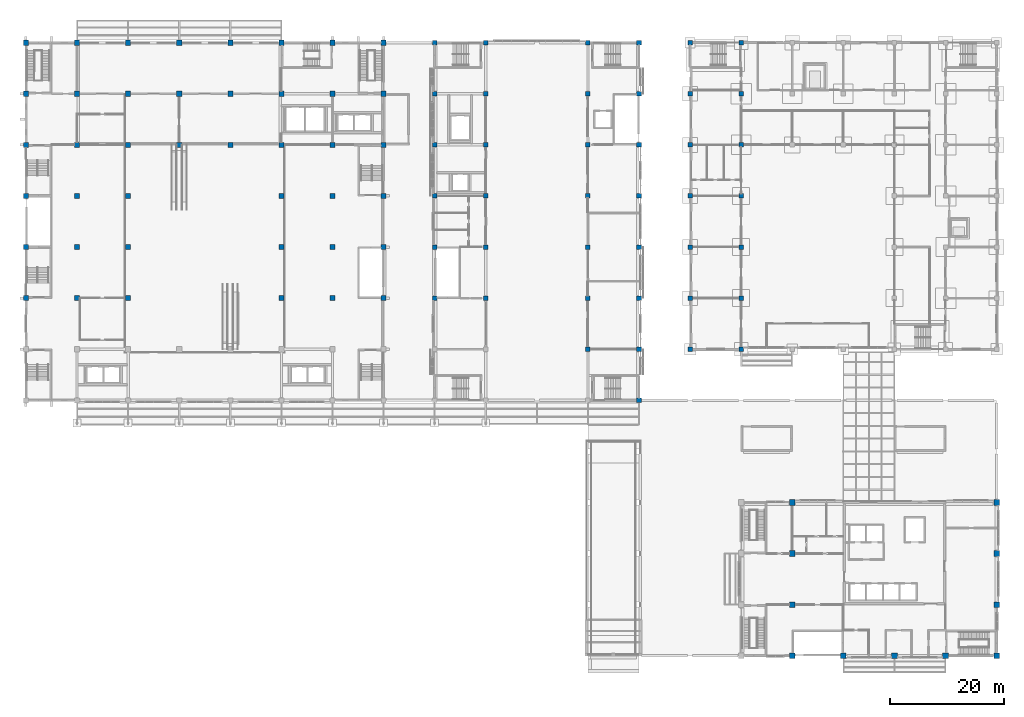
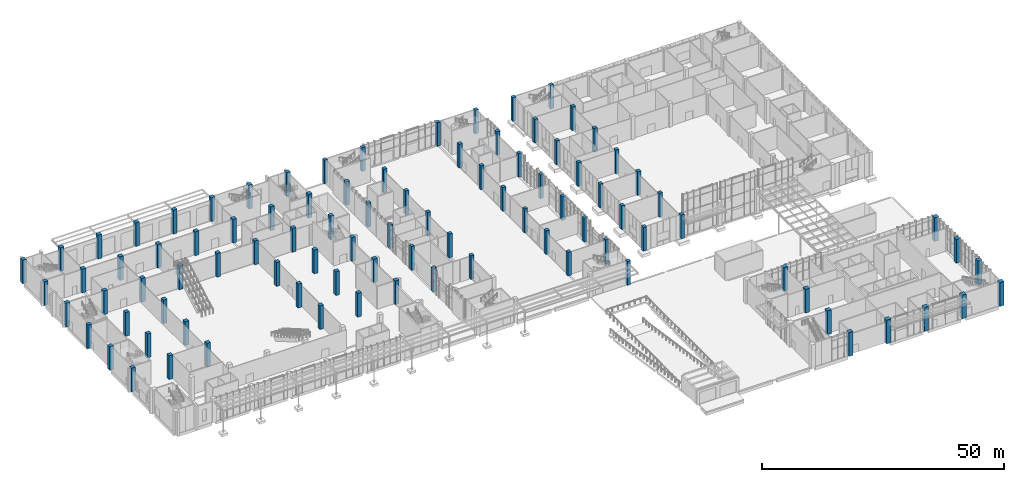
# One storey, part 6 of 86: 94 columns.
"""IFC4 building model written with IfcOpenShell, lengths in metres."""

from ifc_helpers import new_model, si_unit, direction, frame, origin, origin_2d, place, context, subcontext, project, spatial, rectangle, extrude, material, material_profile, profile_set, type_object, element, save


model = new_model("IFC4")

# Units and contexts
model_context = context("Model", 3, precision=1e-05, world=origin(), true_north=direction((0.0, 1.0)))
body_context = subcontext(model_context, "Body", "Model", "MODEL_VIEW")
ifc_project = project(units=[si_unit("LENGTHUNIT", "METRE"), si_unit("AREAUNIT", "SQUARE_METRE"), si_unit("VOLUMEUNIT", "CUBIC_METRE"), si_unit("PLANEANGLEUNIT", "RADIAN"), si_unit("MASSUNIT", "GRAM", prefix="KILO")], contexts=[model_context])

# Site, building, storey
site_placement = place(None, origin())
site = spatial("IfcSite", under=ifc_project, at=site_placement, CompositionType="ELEMENT")
building_placement = place(site_placement, origin())
building = spatial("IfcBuilding", under=site, at=building_placement, Name="Guidao Yard Department Store", CompositionType="ELEMENT")
storey_placement = place(building_placement, origin())
storey = spatial("IfcBuildingStorey", under=building, at=storey_placement, Name="L00", CompositionType="ELEMENT", Elevation=0.0)

# Columns
ifc_material_1 = material(Name="Concrete C60", Category="concrete")
ifc_material_profile_1 = material_profile(ifc_material_1, rectangle(XDim=1.0, YDim=1.0, at=origin_2d()), Name="COL 1000x1000")
ifc_profile_set_1 = profile_set([ifc_material_profile_1], Name="Concrete C60")
column_type_1 = type_object("IfcColumnType", Name="Column 1000x1000 C60", PredefinedType="COLUMN", material=ifc_profile_set_1)
for number, where, z_axis, x_axis, name in (
    (1, (135.0, 0.0, 0.0), (0.0, 0.0, 1.0), (1.0, 0.0, 0.0), "Column 16/A L00"),
    (2, (144.0, 0.0, 0.0), (0.0, 0.0, 1.0), (1.0, 0.0, 0.0), "Column 17/A L00"),
    (3, (153.0, 0.0, 0.0), (0.0, 0.0, 1.0), (1.0, 0.0, 0.0), "Column 18/A L00"),
    (4, (162.0, 0.0, 0.0), (0.0, 0.0, 1.0), (1.0, 0.0, 0.0), "Column 19/A L00"),
    (5, (171.0, 0.0, 0.0), (0.0, 0.0, 1.0), (1.0, 0.0, 0.0), "Column 20/A L00"),
    (6, (135.0, 9.0, 0.0), (0.0, 0.0, 1.0), (1.0, 0.0, 0.0), "Column 16/B L00"),
    (7, (171.0, 9.0, 0.0), (0.0, 0.0, 1.0), (1.0, 0.0, 0.0), "Column 20/B L00"),
    (8, (135.0, 18.0, 0.0), (0.0, 0.0, 1.0), (1.0, 0.0, 0.0), "Column 16/C L00"),
    (9, (171.0, 18.0, 0.0), (0.0, 0.0, 1.0), (1.0, 0.0, 0.0), "Column 20/C L00"),
    (10, (135.0, 27.0, 0.0), (0.0, 0.0, 1.0), (1.0, 0.0, 0.0), "Column 16/D L00"),
    (11, (171.0, 27.0, 0.0), (0.0, 0.0, 1.0), (1.0, 0.0, 0.0), "Column 20/D L00"),
):
    element("IfcColumn", number, at=place(storey_placement, frame(where, z_axis=z_axis, x_axis=x_axis)), inside=storey, type_object=column_type_1, Name=name, PredefinedType="COLUMN", context=body_context, shape_type="SweptSolid", body=[
        extrude(rectangle(XDim=1.0, YDim=1.0, at=origin_2d()), origin(), (0.0, 0.0, 1.0), 6.0),
    ])
ifc_material_2 = material(Name="Concrete C40", Category="concrete")
ifc_material_profile_2 = material_profile(ifc_material_2, rectangle(XDim=0.800048828125, YDim=0.800048828125, at=origin_2d()), Name="COL 800x800")
ifc_profile_set_2 = profile_set([ifc_material_profile_2], Name="Concrete C40")
column_type_2 = type_object("IfcColumnType", Name="Column 800x800 C40", PredefinedType="COLUMN", material=ifc_profile_set_2)
for number, where, z_axis, x_axis, name in (
    (12, (108.0, 45.0, 0.0), (0.0, 0.0, 1.0), (1.0, 0.0, 0.0), "Column 13/F L00"),
    (13, (99.0, 54.0, 0.0), (0.0, 0.0, 1.0), (1.0, 0.0, 0.0), "Column 12/G L00"),
    (14, (108.0, 54.0, 0.0), (0.0, 0.0, 1.0), (1.0, 0.0, 0.0), "Column 13/G L00"),
    (15, (117.0, 54.0, 0.0), (0.0, 0.0, 1.0), (1.0, 0.0, 0.0), "Column 14/G L00"),
    (16, (126.0, 54.0, 0.0), (0.0, 0.0, 1.0), (1.0, 0.0, 0.0), "Column 15/G L00"),
    (17, (72.0, 63.0, 0.0), (0.0, 0.0, 1.0), (1.0, 0.0, 0.0), "Column 9/H L00"),
    (18, (81.0, 63.0, 0.0), (0.0, 0.0, 1.0), (1.0, 0.0, 0.0), "Column 10/H L00"),
    (19, (99.0, 63.0, 0.0), (0.0, 0.0, 1.0), (1.0, 0.0, 0.0), "Column 12/H L00"),
    (20, (108.0, 63.0, 0.0), (0.0, 0.0, 1.0), (1.0, 0.0, 0.0), "Column 13/H L00"),
    (21, (117.0, 63.0, 0.0), (0.0, 0.0, 1.0), (1.0, 0.0, 0.0), "Column 14/H L00"),
    (22, (126.0, 63.0, 0.0), (0.0, 0.0, 1.0), (1.0, 0.0, 0.0), "Column 15/H L00"),
    (23, (72.0, 72.0, 0.0), (0.0, 0.0, 1.0), (1.0, 0.0, 0.0), "Column 9/J L00"),
    (24, (81.0, 72.0, 0.0), (0.0, 0.0, 1.0), (1.0, 0.0, 0.0), "Column 10/J L00"),
    (25, (99.0, 72.0, 0.0), (0.0, 0.0, 1.0), (1.0, 0.0, 0.0), "Column 12/J L00"),
    (26, (108.0, 72.0, 0.0), (0.0, 0.0, 1.0), (1.0, 0.0, 0.0), "Column 13/J L00"),
    (27, (117.0, 72.0, 0.0), (0.0, 0.0, 1.0), (1.0, 0.0, 0.0), "Column 14/J L00"),
    (28, (126.0, 72.0, 0.0), (0.0, 0.0, 1.0), (1.0, 0.0, 0.0), "Column 15/J L00"),
    (29, (72.0, 81.0, 0.0), (0.0, 0.0, 1.0), (1.0, 0.0, 0.0), "Column 9/K L00"),
    (30, (81.0, 81.0, 0.0), (0.0, 0.0, 1.0), (1.0, 0.0, 0.0), "Column 10/K L00"),
    (31, (99.0, 81.0, 0.0), (0.0, 0.0, 1.0), (1.0, 0.0, 0.0), "Column 12/K L00"),
    (32, (108.0, 81.0, 0.0), (0.0, 0.0, 1.0), (1.0, 0.0, 0.0), "Column 13/K L00"),
    (33, (117.0, 81.0, 0.0), (0.0, 0.0, 1.0), (1.0, 0.0, 0.0), "Column 14/K L00"),
    (34, (126.0, 81.0, 0.0), (0.0, 0.0, 1.0), (1.0, 0.0, 0.0), "Column 15/K L00"),
    (35, (72.0, 90.0, 0.0), (0.0, 0.0, 1.0), (1.0, 0.0, 0.0), "Column 9/L L00"),
    (36, (81.0, 90.0, 0.0), (0.0, 0.0, 1.0), (1.0, 0.0, 0.0), "Column 10/L L00"),
    (37, (99.0, 90.0, 0.0), (0.0, 0.0, 1.0), (1.0, 0.0, 0.0), "Column 12/L L00"),
    (38, (108.0, 90.0, 0.0), (0.0, 0.0, 1.0), (1.0, 0.0, 0.0), "Column 13/L L00"),
    (39, (117.0, 90.0, 0.0), (0.0, 0.0, 1.0), (1.0, 0.0, 0.0), "Column 14/L L00"),
    (40, (126.0, 90.0, 0.0), (0.0, 0.0, 1.0), (1.0, 0.0, 0.0), "Column 15/L L00"),
    (41, (72.0, 99.0, 0.0), (0.0, 0.0, 1.0), (1.0, 0.0, 0.0), "Column 9/M L00"),
    (42, (81.0, 99.0, 0.0), (0.0, 0.0, 1.0), (1.0, 0.0, 0.0), "Column 10/M L00"),
    (43, (99.0, 99.0, 0.0), (0.0, 0.0, 1.0), (1.0, 0.0, 0.0), "Column 12/M L00"),
    (44, (108.0, 99.0, 0.0), (0.0, 0.0, 1.0), (1.0, 0.0, 0.0), "Column 13/M L00"),
    (45, (117.0, 99.0, 0.0), (0.0, 0.0, 1.0), (1.0, 0.0, 0.0), "Column 14/M L00"),
    (46, (126.0, 99.0, 0.0), (0.0, 0.0, 1.0), (1.0, 0.0, 0.0), "Column 15/M L00"),
    (47, (72.0, 108.0, 0.0), (0.0, 0.0, 1.0), (1.0, 0.0, 0.0), "Column 9/N L00"),
    (48, (81.0, 108.0, 0.0), (0.0, 0.0, 1.0), (1.0, 0.0, 0.0), "Column 10/N L00"),
    (49, (99.0, 108.0, 0.0), (0.0, 0.0, 1.0), (1.0, 0.0, 0.0), "Column 12/N L00"),
    (50, (108.0, 108.0, 0.0), (0.0, 0.0, 1.0), (1.0, 0.0, 0.0), "Column 13/N L00"),
    (51, (117.0, 108.0, 0.0), (0.0, 0.0, 1.0), (1.0, 0.0, 0.0), "Column 14/N L00"),
    (52, (126.0, 108.0, 0.0), (0.0, 0.0, 1.0), (1.0, 0.0, 0.0), "Column 15/N L00"),
):
    element("IfcColumn", number, at=place(storey_placement, frame(where, z_axis=z_axis, x_axis=x_axis)), inside=storey, type_object=column_type_2, Name=name, PredefinedType="COLUMN", context=body_context, shape_type="SweptSolid", body=[
        extrude(rectangle(XDim=0.800048828125, YDim=0.800048828125, at=origin_2d()), origin(), (0.0, 0.0, 1.0), 6.0),
    ])
ifc_material_3 = material(Name="Concrete C50", Category="concrete")
ifc_material_profile_3 = material_profile(ifc_material_3, rectangle(XDim=0.89990234375, YDim=0.89990234375, at=origin_2d()), Name="COL 900x900")
ifc_profile_set_3 = profile_set([ifc_material_profile_3], Name="Concrete C50")
column_type_3 = type_object("IfcColumnType", Name="Column 900x900 C50", PredefinedType="COLUMN", material=ifc_profile_set_3)
for number, where, z_axis, x_axis, name in (
    (53, (0.0, 63.0, 0.0), (0.0, 0.0, 1.0), (1.0, 0.0, 0.0), "Column 1/H L00"),
    (54, (9.0, 63.0, 0.0), (0.0, 0.0, 1.0), (1.0, 0.0, 0.0), "Column 2/H L00"),
    (55, (18.0, 63.0, 0.0), (0.0, 0.0, 1.0), (1.0, 0.0, 0.0), "Column 3/H L00"),
    (56, (45.0, 63.0, 0.0), (0.0, 0.0, 1.0), (1.0, 0.0, 0.0), "Column 6/H L00"),
    (57, (54.0, 63.0, 0.0), (0.0, 0.0, 1.0), (1.0, 0.0, 0.0), "Column 7/H L00"),
    (58, (63.0, 63.0, 0.0), (0.0, 0.0, 1.0), (1.0, 0.0, 0.0), "Column 8/H L00"),
    (59, (0.0, 72.0, 0.0), (0.0, 0.0, 1.0), (1.0, 0.0, 0.0), "Column 1/J L00"),
    (60, (9.0, 72.0, 0.0), (0.0, 0.0, 1.0), (1.0, 0.0, 0.0), "Column 2/J L00"),
    (61, (18.0, 72.0, 0.0), (0.0, 0.0, 1.0), (1.0, 0.0, 0.0), "Column 3/J L00"),
    (62, (45.0, 72.0, 0.0), (0.0, 0.0, 1.0), (1.0, 0.0, 0.0), "Column 6/J L00"),
    (63, (54.0, 72.0, 0.0), (0.0, 0.0, 1.0), (1.0, 0.0, 0.0), "Column 7/J L00"),
    (64, (63.0, 72.0, 0.0), (0.0, 0.0, 1.0), (1.0, 0.0, 0.0), "Column 8/J L00"),
    (65, (0.0, 81.0, 0.0), (0.0, 0.0, 1.0), (1.0, 0.0, 0.0), "Column 1/K L00"),
    (66, (9.0, 81.0, 0.0), (0.0, 0.0, 1.0), (1.0, 0.0, 0.0), "Column 2/K L00"),
    (67, (18.0, 81.0, 0.0), (0.0, 0.0, 1.0), (1.0, 0.0, 0.0), "Column 3/K L00"),
    (68, (45.0, 81.0, 0.0), (0.0, 0.0, 1.0), (1.0, 0.0, 0.0), "Column 6/K L00"),
    (69, (54.0, 81.0, 0.0), (0.0, 0.0, 1.0), (1.0, 0.0, 0.0), "Column 7/K L00"),
    (70, (63.0, 81.0, 0.0), (0.0, 0.0, 1.0), (1.0, 0.0, 0.0), "Column 8/K L00"),
    (71, (0.0, 90.0, 0.0), (0.0, 0.0, 1.0), (1.0, 0.0, 0.0), "Column 1/L L00"),
    (72, (9.0, 90.0, 0.0), (0.0, 0.0, 1.0), (1.0, 0.0, 0.0), "Column 2/L L00"),
    (73, (18.0, 90.0, 0.0), (0.0, 0.0, 1.0), (1.0, 0.0, 0.0), "Column 3/L L00"),
    (74, (27.0, 90.0, 0.0), (0.0, 0.0, 1.0), (1.0, 0.0, 0.0), "Column 4/L L00"),
    (75, (36.0, 90.0, 0.0), (0.0, 0.0, 1.0), (1.0, 0.0, 0.0), "Column 5/L L00"),
    (76, (45.0, 90.0, 0.0), (0.0, 0.0, 1.0), (1.0, 0.0, 0.0), "Column 6/L L00"),
    (77, (54.0, 90.0, 0.0), (0.0, 0.0, 1.0), (1.0, 0.0, 0.0), "Column 7/L L00"),
    (78, (63.0, 90.0, 0.0), (0.0, 0.0, 1.0), (1.0, 0.0, 0.0), "Column 8/L L00"),
    (79, (0.0, 99.0, 0.0), (0.0, 0.0, 1.0), (1.0, 0.0, 0.0), "Column 1/M L00"),
    (80, (9.0, 99.0, 0.0), (0.0, 0.0, 1.0), (1.0, 0.0, 0.0), "Column 2/M L00"),
    (81, (18.0, 99.0, 0.0), (0.0, 0.0, 1.0), (1.0, 0.0, 0.0), "Column 3/M L00"),
    (82, (27.0, 99.0, 0.0), (0.0, 0.0, 1.0), (1.0, 0.0, 0.0), "Column 4/M L00"),
    (83, (36.0, 99.0, 0.0), (0.0, 0.0, 1.0), (1.0, 0.0, 0.0), "Column 5/M L00"),
    (84, (45.0, 99.0, 0.0), (0.0, 0.0, 1.0), (1.0, 0.0, 0.0), "Column 6/M L00"),
    (85, (54.0, 99.0, 0.0), (0.0, 0.0, 1.0), (1.0, 0.0, 0.0), "Column 7/M L00"),
    (86, (63.0, 99.0, 0.0), (0.0, 0.0, 1.0), (1.0, 0.0, 0.0), "Column 8/M L00"),
    (87, (0.0, 108.0, 0.0), (0.0, 0.0, 1.0), (1.0, 0.0, 0.0), "Column 1/N L00"),
    (88, (9.0, 108.0, 0.0), (0.0, 0.0, 1.0), (1.0, 0.0, 0.0), "Column 2/N L00"),
    (89, (18.0, 108.0, 0.0), (0.0, 0.0, 1.0), (1.0, 0.0, 0.0), "Column 3/N L00"),
    (90, (27.0, 108.0, 0.0), (0.0, 0.0, 1.0), (1.0, 0.0, 0.0), "Column 4/N L00"),
    (91, (36.0, 108.0, 0.0), (0.0, 0.0, 1.0), (1.0, 0.0, 0.0), "Column 5/N L00"),
    (92, (45.0, 108.0, 0.0), (0.0, 0.0, 1.0), (1.0, 0.0, 0.0), "Column 6/N L00"),
    (93, (54.0, 108.0, 0.0), (0.0, 0.0, 1.0), (1.0, 0.0, 0.0), "Column 7/N L00"),
    (94, (63.0, 108.0, 0.0), (0.0, 0.0, 1.0), (1.0, 0.0, 0.0), "Column 8/N L00"),
):
    element("IfcColumn", number, at=place(storey_placement, frame(where, z_axis=z_axis, x_axis=x_axis)), inside=storey, type_object=column_type_3, Name=name, PredefinedType="COLUMN", context=body_context, shape_type="SweptSolid", body=[
        extrude(rectangle(XDim=0.89990234375, YDim=0.89990234375, at=origin_2d()), origin(), (0.0, 0.0, 1.0), 6.0),
    ])

save(model, "model.ifc")
